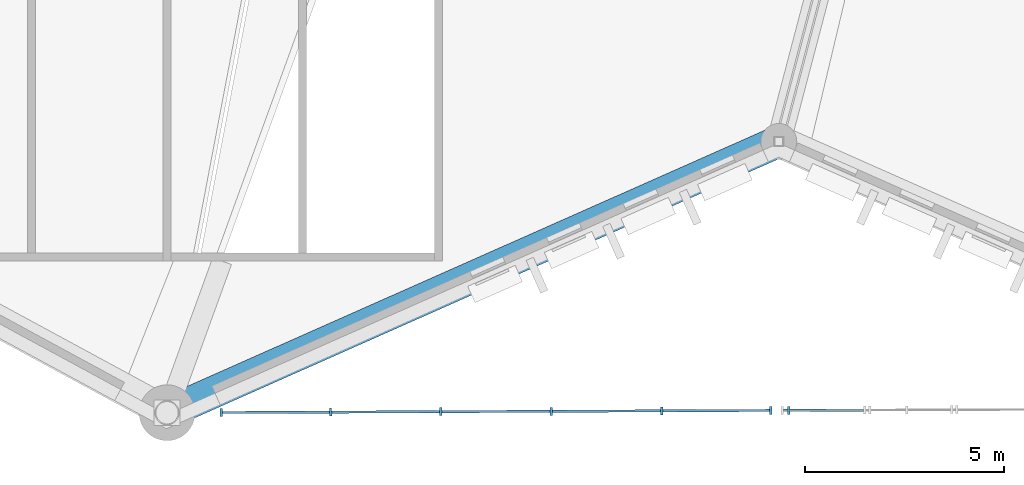
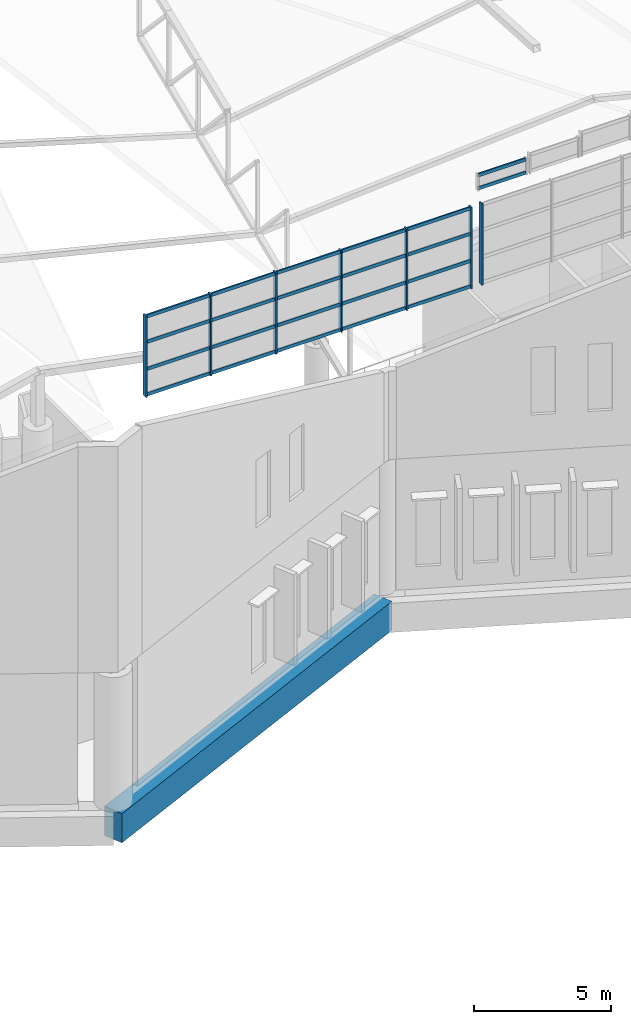
# One storey, part 24 of 344: 29 members, 1 beam, 3 elements without a shape of their own.
"""IFC4 building model written with IfcOpenShell, lengths in metres."""

import ifcopenshell
import ifcopenshell.guid

model = None  # the IFC model being written
_history = None  # IfcOwnerHistory: only IFC2X3 demands one
_inside = {}  # id of a spatial element -> (the spatial element, [elements in it])
_under = {}  # id of a project, library or spatial element -> (it, [spatial elements below it])
_declared = {}  # id of a project -> (the project, [libraries it declares])
_typed = {}  # id of a type object -> (the type object, [elements of that type])
_made_of = {}  # id of a material, layer set ... -> (it, [elements and type objects made of it])


def new_model(schema):
    """Start an empty IFC model of exactly this schema.

    Asked for "IFC4X3", IfcOpenShell would pick the latest addendum, in which some entities
    have other attributes; the version numbers below select the first issue.
    IFC2X3 requires an IfcOwnerHistory on every rooted entity: one is made here for all.
    """
    global model, _history
    if schema == "IFC4X3":
        model = ifcopenshell.file(schema_version=(4, 3, 0, 0))
    else:
        model = ifcopenshell.file(schema=schema)
    _inside.clear()
    _under.clear()
    _declared.clear()
    _typed.clear()
    _made_of.clear()
    _history = None
    if model.schema == "IFC2X3":
        org = make("IfcOrganization", Name="unknown")
        user = make(
            "IfcPersonAndOrganization",
            ThePerson=make("IfcPerson", FamilyName="unknown"),
            TheOrganization=org,
        )
        app = make(
            "IfcApplication",
            ApplicationDeveloper=org,
            Version="unknown",
            ApplicationFullName="unknown",
            ApplicationIdentifier="unknown",
        )
        _history = make(
            "IfcOwnerHistory",
            OwningUser=user,
            OwningApplication=app,
            ChangeAction="ADDED",
            CreationDate=0,
        )
    return model


def make(cls, **values):
    """One entity of the class cls with the attributes given. An attribute that is None is left unset."""
    return model.create_entity(
        cls, **{name: value for name, value in values.items() if value is not None}
    )


def rooted(cls, **values):
    """An entity with a GlobalId (a new one), such as an element, a storey or a relation."""
    return make(cls, GlobalId=ifcopenshell.guid.new(), OwnerHistory=_history, **values)


def si_unit(unit_type, name, prefix=None):
    """IfcSIUnit, for example si_unit("LENGTHUNIT", "METRE", prefix="MILLI")."""
    return make("IfcSIUnit", UnitType=unit_type, Prefix=prefix, Name=name)


def assignment(units):
    """IfcUnitAssignment: the units of a project."""
    return None if units is None else make("IfcUnitAssignment", Units=units)


def point(xyz):
    """IfcCartesianPoint."""
    return None if xyz is None else make("IfcCartesianPoint", Coordinates=xyz)


def direction(xyz):
    """IfcDirection."""
    return None if xyz is None else make("IfcDirection", DirectionRatios=xyz)


def frame(location, z_axis=None, x_axis=None):
    """IfcAxis2Placement3D, a coordinate frame: its origin and axes. An axis left out is left unset."""
    return make(
        "IfcAxis2Placement3D",
        Location=point(location),
        Axis=direction(z_axis),
        RefDirection=direction(x_axis),
    )


def frame_2d(location, x_axis=None):
    """IfcAxis2Placement2D, a coordinate frame in the plane: its origin and x axis."""
    return make(
        "IfcAxis2Placement2D", Location=point(location), RefDirection=direction(x_axis)
    )


def origin():
    """The frame at (0, 0, 0) with its axes left unset."""
    return frame((0.0, 0.0, 0.0))


def origin_2d():
    """The frame at (0, 0) in the plane with its x axis left unset."""
    return frame_2d((0.0, 0.0))


def place(relative_to, where):
    """IfcLocalPlacement: puts the frame where relative to a parent placement (None: the world)."""
    return make(
        "IfcLocalPlacement", PlacementRelTo=relative_to, RelativePlacement=where
    )


def context(
    kind, dimensions, precision=None, world=None, true_north=None, identifier=None
):
    """IfcGeometricRepresentationContext, for example the 3D "Model" context."""
    return make(
        "IfcGeometricRepresentationContext",
        ContextIdentifier=identifier,
        ContextType=kind,
        CoordinateSpaceDimension=dimensions,
        Precision=precision,
        WorldCoordinateSystem=world,
        TrueNorth=true_north,
    )


def subcontext(parent, identifier, kind, view, scale=None):
    """IfcGeometricRepresentationSubContext, for example "Body" below "Model"."""
    return make(
        "IfcGeometricRepresentationSubContext",
        ContextIdentifier=identifier,
        ContextType=kind,
        ParentContext=parent,
        TargetScale=scale,
        TargetView=view,
    )


def project(units=None, contexts=None):
    """IfcProject with its units and contexts."""
    return rooted(
        "IfcProject",
        Name="project",
        RepresentationContexts=contexts,
        UnitsInContext=assignment(units),
    )


def spatial(cls, under=None, at=None, **own):
    """A site, building, storey or space (cls), placed at a placement, below another one or the project."""
    s = rooted(cls, ObjectPlacement=at, **own)
    if under is not None:
        _under.setdefault(under.id(), (under, []))[1].append(s)
    return s


def profile(cls, at=None, kind="AREA", **sizes):
    """A parametric profile (cls). Its sizes go by their IFC names, for example OverallWidth=200.0."""
    return make(cls, ProfileType=kind, Position=at, **sizes)


def rectangle(**sizes):
    """IfcRectangleProfileDef."""
    return profile("IfcRectangleProfileDef", **sizes)


def extrude(swept, where, along, depth):
    """IfcExtrudedAreaSolid: the profile swept, set in the frame where, extruded along a direction by depth."""
    return make(
        "IfcExtrudedAreaSolid",
        SweptArea=swept,
        Position=where,
        ExtrudedDirection=direction(along),
        Depth=depth,
    )


def shape(context_of_items, identifier, shape_type, items):
    """IfcShapeRepresentation: the items that make up one representation, for example the "Body"."""
    return make(
        "IfcShapeRepresentation",
        ContextOfItems=context_of_items,
        RepresentationIdentifier=identifier,
        RepresentationType=shape_type,
        Items=items,
    )


def material(Name=None, Category=None):
    """IfcMaterial."""
    return make("IfcMaterial", Name=Name, Category=Category)


def layer(
    of_material, thickness, ventilated=None, Name=None, Category=None, Priority=None
):
    """IfcMaterialLayer: one layer of a wall or slab, of a material (None: an air gap)."""
    return make(
        "IfcMaterialLayer",
        Material=of_material,
        LayerThickness=thickness,
        IsVentilated=ventilated,
        Name=Name,
        Category=Category,
        Priority=Priority,
    )


def layer_set(layers, Name=None):
    """IfcMaterialLayerSet."""
    return make("IfcMaterialLayerSet", MaterialLayers=layers, LayerSetName=Name)


def material_profile(
    of_material, cross_section, Name=None, Category=None, Priority=None
):
    """IfcMaterialProfile: a cross section and its material."""
    return make(
        "IfcMaterialProfile",
        Name=Name,
        Material=of_material,
        Profile=cross_section,
        Priority=Priority,
        Category=Category,
    )


def profile_set(profiles, Name=None, composite=None):
    """IfcMaterialProfileSet."""
    return make(
        "IfcMaterialProfileSet",
        Name=Name,
        MaterialProfiles=profiles,
        CompositeProfile=composite,
    )


def made_of(thing, what):
    """Note that an element or type object is made of a material, layer set ...; save() writes the relation."""
    if what is not None:
        _made_of.setdefault(what.id(), (what, []))[1].append(thing)
    return thing


def type_object(cls, material=None, **own):
    """A type object (cls), such as IfcWallType, which elements share."""
    return made_of(rooted(cls, **own), material)


def element(
    cls,
    number,
    at=None,
    inside=None,
    cuts=None,
    type_object=None,
    material=None,
    context=None,
    identifier="Body",
    shape_type=None,
    held_by="IfcProductDefinitionShape",
    body=None,
    shapes=None,
    **own,
):
    """One element of the class cls, such as IfcWall. Its Tag is "e" and its number.

    at: its placement. inside: the storey or other place that contains it. cuts: it is an
    opening in that element (IfcRelVoidsElement). A single representation is given by context,
    identifier, shape_type and body (its items); several are given by shapes. held_by: the class
    of the entity that holds the representations. save() writes the other relations.
    """
    e = rooted(cls, Tag="e%d" % number, ObjectPlacement=at, **own)
    if body is not None:
        shapes = [shape(context, identifier, shape_type, body)]
    if shapes is not None:
        e.Representation = make(held_by, Representations=shapes)
    if inside is not None:
        _inside.setdefault(inside.id(), (inside, []))[1].append(e)
    if cuts is not None:
        rooted(
            "IfcRelVoidsElement", RelatingBuildingElement=cuts, RelatedOpeningElement=e
        )
    if type_object is not None:
        _typed.setdefault(type_object.id(), (type_object, []))[1].append(e)
    return made_of(e, material)


def aggregate(whole, parts):
    """IfcRelAggregates: a whole, such as a stair, and the parts it consists of."""
    return rooted("IfcRelAggregates", RelatingObject=whole, RelatedObjects=parts)


def save(model, path):
    """Write the relations noted so far, then the file.

    IfcRelAggregates (storeys below a building ...), IfcRelContainedInSpatialStructure (elements
    in a storey), IfcRelDefinesByType, IfcRelAssociatesMaterial and IfcRelDeclares: one each for
    every whole, place, type object, material and project.
    """
    for whole, parts in _under.values():
        aggregate(whole, parts)
    for where, things in _inside.values():
        rooted(
            "IfcRelContainedInSpatialStructure",
            RelatedElements=things,
            RelatingStructure=where,
        )
    for kind, things in _typed.values():
        rooted("IfcRelDefinesByType", RelatedObjects=things, RelatingType=kind)
    for what, things in _made_of.values():
        rooted("IfcRelAssociatesMaterial", RelatedObjects=things, RelatingMaterial=what)
    for by, libraries in _declared.values():
        rooted("IfcRelDeclares", RelatingContext=by, RelatedDefinitions=libraries)
    model.write(path)


model = new_model("IFC4")

# Units and contexts
model_context = context("Model", 3, precision=1e-05, world=origin(), true_north=direction((0.0, 1.0)))
body_context = subcontext(model_context, "Body", "Model", "MODEL_VIEW")
ifc_project = project(units=[si_unit("LENGTHUNIT", "METRE"), si_unit("AREAUNIT", "SQUARE_METRE"), si_unit("VOLUMEUNIT", "CUBIC_METRE"), si_unit("PLANEANGLEUNIT", "RADIAN"), si_unit("MASSUNIT", "GRAM", prefix="KILO")], contexts=[model_context])

# Site, building, storey
site_placement = place(None, origin())
site = spatial("IfcSite", under=ifc_project, at=site_placement, CompositionType="ELEMENT")
building_placement = place(site_placement, origin())
building = spatial("IfcBuilding", under=site, at=building_placement, Name="Meseta Stadium", CompositionType="ELEMENT")
storey_placement = place(building_placement, frame((0.0, 0.0, 24.0)))
storey = spatial("IfcBuildingStorey", under=building, at=storey_placement, Name="L04", CompositionType="ELEMENT", Elevation=24.0)

# Curtain wall, members
ifc_material_1 = material(Name="Aluminium", Category="aluminium")
ifc_layer = layer(ifc_material_1, 0.199951171875)
ifc_layer_set = layer_set([ifc_layer], Name="Gable glazing curtain wall")
curtain_wall_type = type_object("IfcCurtainWallType", Name="Gable glazing curtain wall", PredefinedType="NOTDEFINED", material=ifc_layer_set)
curtain_wall_1_placement = place(storey_placement, origin())
curtain_wall_1 = element("IfcCurtainWall", 1, at=curtain_wall_1_placement, inside=storey, type_object=curtain_wall_type, Name="Gable glazing south lower bay 01", PredefinedType="NOTDEFINED")
ifc_material_2 = material(Name="Aluminium", Category="aluminium")
ifc_material_profile_1 = material_profile(ifc_material_2, rectangle(XDim=0.199951171875, YDim=0.06005859375, at=origin_2d()), Name="CW 200x60")
ifc_profile_set_1 = profile_set([ifc_material_profile_1], Name="Aluminium")
member_type_1 = type_object("IfcMemberType", Name="CW mullion 60x200", PredefinedType="MULLION", material=ifc_profile_set_1)
member_1_placement = place(storey_placement, frame((-36.971435546875, -105.394775390625, 17.60009765625), z_axis=(0.0, 0.0, 1.0), x_axis=(-0.003847534181, 0.999992598213, 0.0)))
member_1 = element("IfcMember", 2, at=member_1_placement, type_object=member_type_1, Name="CWG mullion 1", PredefinedType="MULLION", context=body_context, shape_type="SweptSolid", body=[
    extrude(rectangle(XDim=0.199951171875, YDim=0.06005859375, at=origin_2d()), origin(), (0.0, 0.0, 1.0), 3.635009765625),
])
member_2_placement = place(storey_placement, frame((-34.235107421875, -105.38427734375, 17.60009765625), z_axis=(0.0, 0.0, 1.0), x_axis=(-0.003847534181, 0.999992598213, 0.0)))
member_2 = element("IfcMember", 3, at=member_2_placement, type_object=member_type_1, Name="CWG mullion 2", PredefinedType="MULLION", context=body_context, shape_type="SweptSolid", body=[
    extrude(rectangle(XDim=0.199951171875, YDim=0.06005859375, at=origin_2d()), origin(), (0.0, 0.0, 1.0), 3.635009765625),
])
member_3_placement = place(storey_placement, frame((-31.46875, -105.37353515625, 17.60009765625), z_axis=(0.0, 0.0, 1.0), x_axis=(-0.003847534181, 0.999992598213, 0.0)))
member_3 = element("IfcMember", 4, at=member_3_placement, type_object=member_type_1, Name="CWG mullion 3", PredefinedType="MULLION", context=body_context, shape_type="SweptSolid", body=[
    extrude(rectangle(XDim=0.199951171875, YDim=0.06005859375, at=origin_2d()), origin(), (0.0, 0.0, 1.0), 3.635009765625),
])
member_4_placement = place(storey_placement, frame((-28.702392578125, -105.363037109375, 17.60009765625), z_axis=(0.0, 0.0, 1.0), x_axis=(-0.003847534181, 0.999992598213, 0.0)))
member_4 = element("IfcMember", 5, at=member_4_placement, type_object=member_type_1, Name="CWG mullion 4", PredefinedType="MULLION", context=body_context, shape_type="SweptSolid", body=[
    extrude(rectangle(XDim=0.199951171875, YDim=0.06005859375, at=origin_2d()), origin(), (0.0, 0.0, 1.0), 3.635009765625),
])
member_5_placement = place(storey_placement, frame((-25.93603515625, -105.352294921875, 17.60009765625), z_axis=(0.0, 0.0, 1.0), x_axis=(-0.003847534181, 0.999992598213, 0.0)))
member_5 = element("IfcMember", 6, at=member_5_placement, type_object=member_type_1, Name="CWG mullion 5", PredefinedType="MULLION", context=body_context, shape_type="SweptSolid", body=[
    extrude(rectangle(XDim=0.199951171875, YDim=0.06005859375, at=origin_2d()), origin(), (0.0, 0.0, 1.0), 3.635009765625),
])
member_6_placement = place(storey_placement, frame((-23.199462890625, -105.341796875, 17.60009765625), z_axis=(0.0, 0.0, 1.0), x_axis=(-0.003847534181, 0.999992598213, 0.0)))
member_6 = element("IfcMember", 7, at=member_6_placement, type_object=member_type_1, Name="CWG mullion 6", PredefinedType="MULLION", context=body_context, shape_type="SweptSolid", body=[
    extrude(rectangle(XDim=0.199951171875, YDim=0.06005859375, at=origin_2d()), origin(), (0.0, 0.0, 1.0), 3.635009765625),
])

# Curtain wall, member
curtain_wall_2_placement = place(storey_placement, origin())
curtain_wall_2 = element("IfcCurtainWall", 8, at=curtain_wall_2_placement, inside=storey, type_object=curtain_wall_type, Name="Gable glazing south lower bay 02", PredefinedType="NOTDEFINED")
member_7_placement = place(storey_placement, frame((-22.74853515625, -105.340087890625, 17.60009765625), z_axis=(0.0, 0.0, 1.0), x_axis=(-0.003847534198, 0.999992598213, 0.0)))
member_7 = element("IfcMember", 9, at=member_7_placement, type_object=member_type_1, Name="CWG mullion 1", PredefinedType="MULLION", context=body_context, shape_type="SweptSolid", body=[
    extrude(rectangle(XDim=0.199951171875, YDim=0.06005859375, at=origin_2d()), origin(), (0.0, 0.0, 1.0), 3.635009765625),
])
aggregate(curtain_wall_2, [member_7])

# Curtain wall, members
curtain_wall_3_placement = place(storey_placement, origin())
curtain_wall_3 = element("IfcCurtainWall", 10, at=curtain_wall_3_placement, inside=storey, type_object=curtain_wall_type, Name="Gable glazing south bay 08", PredefinedType="NOTDEFINED")
ifc_material_3 = material(Name="Aluminium", Category="aluminium")
ifc_material_profile_2 = material_profile(ifc_material_3, rectangle(XDim=0.06005859375, YDim=0.14990234375, at=origin_2d()), Name="CW 60x150")
ifc_profile_set_2 = profile_set([ifc_material_profile_2], Name="Aluminium")
member_type_2 = type_object("IfcMemberType", Name="CW transom 60x150", PredefinedType="USERDEFINED", material=ifc_profile_set_2)
member_8_placement = place(storey_placement, frame((-22.882080078125, -105.340576171875, 21.929931640625), z_axis=(0.99999239114, 0.003900982143, 0.0), x_axis=(-0.003900982143, 0.99999239114, 0.0)))
member_8 = element("IfcMember", 11, at=member_8_placement, type_object=member_type_2, Name="CWG transom 1.1", ObjectType="TRANSOM", PredefinedType="USERDEFINED", context=body_context, shape_type="SweptSolid", body=[
    extrude(rectangle(XDim=0.06005859375, YDim=0.14990234375, at=origin_2d()), origin(), (0.0, 0.0, 1.0), 2.002685546875),
])
member_9_placement = place(storey_placement, frame((-22.882080078125, -105.340576171875, 22.516845703125), z_axis=(0.99999239114, 0.003900982143, 0.0), x_axis=(-0.003900982143, 0.99999239114, 0.0)))
member_9 = element("IfcMember", 12, at=member_9_placement, type_object=member_type_2, Name="CWG transom 1.2", ObjectType="TRANSOM", PredefinedType="USERDEFINED", context=body_context, shape_type="SweptSolid", body=[
    extrude(rectangle(XDim=0.06005859375, YDim=0.14990234375, at=origin_2d()), origin(), (0.0, 0.0, 1.0), 2.002685546875),
])
aggregate(curtain_wall_3, [member_8, member_9])

# Member
member_10_placement = place(storey_placement, frame((-36.94140625, -105.39453125, 17.675048828125), z_axis=(0.999992661539, 0.003831040024, 0.0), x_axis=(-0.003831040024, 0.999992661539, 0.0)))
member_10 = element("IfcMember", 13, at=member_10_placement, type_object=member_type_2, Name="CWG transom 1.1", ObjectType="TRANSOM", PredefinedType="USERDEFINED", context=body_context, shape_type="SweptSolid", body=[
    extrude(rectangle(XDim=0.06005859375, YDim=0.14990234375, at=origin_2d()), origin(), (0.0, 0.0, 1.0), 2.676513671875),
])

member_11_placement = place(storey_placement, frame((-36.94140625, -105.39453125, 18.811767578125), z_axis=(0.999992661539, 0.003831040024, 0.0), x_axis=(-0.003831040024, 0.999992661539, 0.0)))
member_11 = element("IfcMember", 14, at=member_11_placement, type_object=member_type_2, Name="CWG transom 1.2", ObjectType="TRANSOM", PredefinedType="USERDEFINED", context=body_context, shape_type="SweptSolid", body=[
    extrude(rectangle(XDim=0.06005859375, YDim=0.14990234375, at=origin_2d()), origin(), (0.0, 0.0, 1.0), 2.676513671875),
])

member_12_placement = place(storey_placement, frame((-36.94140625, -105.39453125, 20.0234375), z_axis=(0.999992661539, 0.003831040024, 0.0), x_axis=(-0.003831040024, 0.999992661539, 0.0)))
member_12 = element("IfcMember", 15, at=member_12_placement, type_object=member_type_2, Name="CWG transom 1.3", ObjectType="TRANSOM", PredefinedType="USERDEFINED", context=body_context, shape_type="SweptSolid", body=[
    extrude(rectangle(XDim=0.06005859375, YDim=0.14990234375, at=origin_2d()), origin(), (0.0, 0.0, 1.0), 2.676513671875),
])

member_13_placement = place(storey_placement, frame((-36.94140625, -105.39453125, 21.159912109375), z_axis=(0.999992661539, 0.003831040024, 0.0), x_axis=(-0.003831040024, 0.999992661539, 0.0)))
member_13 = element("IfcMember", 16, at=member_13_placement, type_object=member_type_2, Name="CWG transom 1.4", ObjectType="TRANSOM", PredefinedType="USERDEFINED", context=body_context, shape_type="SweptSolid", body=[
    extrude(rectangle(XDim=0.06005859375, YDim=0.14990234375, at=origin_2d()), origin(), (0.0, 0.0, 1.0), 2.676513671875),
])

member_14_placement = place(storey_placement, frame((-34.205078125, -105.384033203125, 17.675048828125), z_axis=(0.999992823476, 0.003788534962, 0.0), x_axis=(-0.003788534962, 0.999992823476, 0.0)))
member_14 = element("IfcMember", 17, at=member_14_placement, type_object=member_type_2, Name="CWG transom 2.1", ObjectType="TRANSOM", PredefinedType="USERDEFINED", context=body_context, shape_type="SweptSolid", body=[
    extrude(rectangle(XDim=0.06005859375, YDim=0.14990234375, at=origin_2d()), origin(), (0.0, 0.0, 1.0), 2.70654296875),
])

member_15_placement = place(storey_placement, frame((-34.205078125, -105.384033203125, 18.811767578125), z_axis=(0.999992823476, 0.003788534962, 0.0), x_axis=(-0.003788534962, 0.999992823476, 0.0)))
member_15 = element("IfcMember", 18, at=member_15_placement, type_object=member_type_2, Name="CWG transom 2.2", ObjectType="TRANSOM", PredefinedType="USERDEFINED", context=body_context, shape_type="SweptSolid", body=[
    extrude(rectangle(XDim=0.06005859375, YDim=0.14990234375, at=origin_2d()), origin(), (0.0, 0.0, 1.0), 2.70654296875),
])

member_16_placement = place(storey_placement, frame((-34.205078125, -105.384033203125, 20.0234375), z_axis=(0.999992823476, 0.003788534962, 0.0), x_axis=(-0.003788534962, 0.999992823476, 0.0)))
member_16 = element("IfcMember", 19, at=member_16_placement, type_object=member_type_2, Name="CWG transom 2.3", ObjectType="TRANSOM", PredefinedType="USERDEFINED", context=body_context, shape_type="SweptSolid", body=[
    extrude(rectangle(XDim=0.06005859375, YDim=0.14990234375, at=origin_2d()), origin(), (0.0, 0.0, 1.0), 2.70654296875),
])

member_17_placement = place(storey_placement, frame((-34.205078125, -105.384033203125, 21.159912109375), z_axis=(0.999992823476, 0.003788534962, 0.0), x_axis=(-0.003788534962, 0.999992823476, 0.0)))
member_17 = element("IfcMember", 20, at=member_17_placement, type_object=member_type_2, Name="CWG transom 2.4", ObjectType="TRANSOM", PredefinedType="USERDEFINED", context=body_context, shape_type="SweptSolid", body=[
    extrude(rectangle(XDim=0.06005859375, YDim=0.14990234375, at=origin_2d()), origin(), (0.0, 0.0, 1.0), 2.70654296875),
])

member_18_placement = place(storey_placement, frame((-31.438720703125, -105.37353515625, 17.675048828125), z_axis=(0.999992477672, 0.003878736834, 0.0), x_axis=(-0.003878736834, 0.999992477672, 0.0)))
member_18 = element("IfcMember", 21, at=member_18_placement, type_object=member_type_2, Name="CWG transom 3.1", ObjectType="TRANSOM", PredefinedType="USERDEFINED", context=body_context, shape_type="SweptSolid", body=[
    extrude(rectangle(XDim=0.06005859375, YDim=0.14990234375, at=origin_2d()), origin(), (0.0, 0.0, 1.0), 2.70654296875),
])

member_19_placement = place(storey_placement, frame((-31.438720703125, -105.37353515625, 18.811767578125), z_axis=(0.999992477672, 0.003878736834, 0.0), x_axis=(-0.003878736834, 0.999992477672, 0.0)))
member_19 = element("IfcMember", 22, at=member_19_placement, type_object=member_type_2, Name="CWG transom 3.2", ObjectType="TRANSOM", PredefinedType="USERDEFINED", context=body_context, shape_type="SweptSolid", body=[
    extrude(rectangle(XDim=0.06005859375, YDim=0.14990234375, at=origin_2d()), origin(), (0.0, 0.0, 1.0), 2.70654296875),
])

member_20_placement = place(storey_placement, frame((-31.438720703125, -105.37353515625, 20.0234375), z_axis=(0.999992477672, 0.003878736834, 0.0), x_axis=(-0.003878736834, 0.999992477672, 0.0)))
member_20 = element("IfcMember", 23, at=member_20_placement, type_object=member_type_2, Name="CWG transom 3.3", ObjectType="TRANSOM", PredefinedType="USERDEFINED", context=body_context, shape_type="SweptSolid", body=[
    extrude(rectangle(XDim=0.06005859375, YDim=0.14990234375, at=origin_2d()), origin(), (0.0, 0.0, 1.0), 2.70654296875),
])

member_21_placement = place(storey_placement, frame((-31.438720703125, -105.37353515625, 21.159912109375), z_axis=(0.999992477672, 0.003878736834, 0.0), x_axis=(-0.003878736834, 0.999992477672, 0.0)))
member_21 = element("IfcMember", 24, at=member_21_placement, type_object=member_type_2, Name="CWG transom 3.4", ObjectType="TRANSOM", PredefinedType="USERDEFINED", context=body_context, shape_type="SweptSolid", body=[
    extrude(rectangle(XDim=0.06005859375, YDim=0.14990234375, at=origin_2d()), origin(), (0.0, 0.0, 1.0), 2.70654296875),
])

member_22_placement = place(storey_placement, frame((-28.67236328125, -105.36279296875, 17.675048828125), z_axis=(0.999992477672, 0.003878736834, 0.0), x_axis=(-0.003878736834, 0.999992477672, 0.0)))
member_22 = element("IfcMember", 25, at=member_22_placement, type_object=member_type_2, Name="CWG transom 4.1", ObjectType="TRANSOM", PredefinedType="USERDEFINED", context=body_context, shape_type="SweptSolid", body=[
    extrude(rectangle(XDim=0.06005859375, YDim=0.14990234375, at=origin_2d()), origin(), (0.0, 0.0, 1.0), 2.70654296875),
])

member_23_placement = place(storey_placement, frame((-28.67236328125, -105.36279296875, 18.811767578125), z_axis=(0.999992477672, 0.003878736834, 0.0), x_axis=(-0.003878736834, 0.999992477672, 0.0)))
member_23 = element("IfcMember", 26, at=member_23_placement, type_object=member_type_2, Name="CWG transom 4.2", ObjectType="TRANSOM", PredefinedType="USERDEFINED", context=body_context, shape_type="SweptSolid", body=[
    extrude(rectangle(XDim=0.06005859375, YDim=0.14990234375, at=origin_2d()), origin(), (0.0, 0.0, 1.0), 2.70654296875),
])

member_24_placement = place(storey_placement, frame((-28.67236328125, -105.36279296875, 20.0234375), z_axis=(0.999992477672, 0.003878736834, 0.0), x_axis=(-0.003878736834, 0.999992477672, 0.0)))
member_24 = element("IfcMember", 27, at=member_24_placement, type_object=member_type_2, Name="CWG transom 4.3", ObjectType="TRANSOM", PredefinedType="USERDEFINED", context=body_context, shape_type="SweptSolid", body=[
    extrude(rectangle(XDim=0.06005859375, YDim=0.14990234375, at=origin_2d()), origin(), (0.0, 0.0, 1.0), 2.70654296875),
])

member_25_placement = place(storey_placement, frame((-28.67236328125, -105.36279296875, 21.159912109375), z_axis=(0.999992477672, 0.003878736834, 0.0), x_axis=(-0.003878736834, 0.999992477672, 0.0)))
member_25 = element("IfcMember", 28, at=member_25_placement, type_object=member_type_2, Name="CWG transom 4.4", ObjectType="TRANSOM", PredefinedType="USERDEFINED", context=body_context, shape_type="SweptSolid", body=[
    extrude(rectangle(XDim=0.06005859375, YDim=0.14990234375, at=origin_2d()), origin(), (0.0, 0.0, 1.0), 2.70654296875),
])

member_26_placement = place(storey_placement, frame((-25.906005859375, -105.352294921875, 17.675048828125), z_axis=(0.999992307933, 0.003922253876, 0.0), x_axis=(-0.003922253876, 0.999992307933, 0.0)))
member_26 = element("IfcMember", 29, at=member_26_placement, type_object=member_type_2, Name="CWG transom 5.1", ObjectType="TRANSOM", PredefinedType="USERDEFINED", context=body_context, shape_type="SweptSolid", body=[
    extrude(rectangle(XDim=0.06005859375, YDim=0.14990234375, at=origin_2d()), origin(), (0.0, 0.0, 1.0), 2.676513671875),
])

member_27_placement = place(storey_placement, frame((-25.906005859375, -105.352294921875, 18.811767578125), z_axis=(0.999992307933, 0.003922253876, 0.0), x_axis=(-0.003922253876, 0.999992307933, 0.0)))
member_27 = element("IfcMember", 30, at=member_27_placement, type_object=member_type_2, Name="CWG transom 5.2", ObjectType="TRANSOM", PredefinedType="USERDEFINED", context=body_context, shape_type="SweptSolid", body=[
    extrude(rectangle(XDim=0.06005859375, YDim=0.14990234375, at=origin_2d()), origin(), (0.0, 0.0, 1.0), 2.676513671875),
])

member_28_placement = place(storey_placement, frame((-25.906005859375, -105.352294921875, 20.0234375), z_axis=(0.999992307933, 0.003922253876, 0.0), x_axis=(-0.003922253876, 0.999992307933, 0.0)))
member_28 = element("IfcMember", 31, at=member_28_placement, type_object=member_type_2, Name="CWG transom 5.3", ObjectType="TRANSOM", PredefinedType="USERDEFINED", context=body_context, shape_type="SweptSolid", body=[
    extrude(rectangle(XDim=0.06005859375, YDim=0.14990234375, at=origin_2d()), origin(), (0.0, 0.0, 1.0), 2.676513671875),
])

member_29_placement = place(storey_placement, frame((-25.906005859375, -105.352294921875, 21.159912109375), z_axis=(0.999992307933, 0.003922253876, 0.0), x_axis=(-0.003922253876, 0.999992307933, 0.0)))
member_29 = element("IfcMember", 32, at=member_29_placement, type_object=member_type_2, Name="CWG transom 5.4", ObjectType="TRANSOM", PredefinedType="USERDEFINED", context=body_context, shape_type="SweptSolid", body=[
    extrude(rectangle(XDim=0.06005859375, YDim=0.14990234375, at=origin_2d()), origin(), (0.0, 0.0, 1.0), 2.676513671875),
])

aggregate(curtain_wall_1, [member_1, member_2, member_3, member_4, member_5, member_6, member_10, member_11, member_12, member_13, member_14, member_15, member_16, member_17, member_18, member_19, member_20, member_21, member_22, member_23, member_24, member_25, member_26, member_27, member_28, member_29])

# Beam
ifc_material_4 = material(Name="Concrete C40/50", Category="concrete")
ifc_material_profile_3 = material_profile(ifc_material_4, rectangle(XDim=0.800048828125, YDim=1.300048828125, at=origin_2d()), Name="RC 800x1300")
ifc_profile_set_3 = profile_set([ifc_material_profile_3], Name="Concrete C40/50")
beam_type = type_object("IfcBeamType", Name="RC beam 800x1300", PredefinedType="BEAM", material=ifc_profile_set_3)
beam_placement = place(storey_placement, frame((-38.333251953125, -105.39990234375, -1.050048828125), z_axis=(0.914142564088, 0.405392861953, 0.0), x_axis=(-0.405392861953, 0.914142564088, 0.0)))
element("IfcBeam", 33, at=beam_placement, inside=storey, type_object=beam_type, Name="L04 ring beam frame 44 line R", PredefinedType="BEAM", context=body_context, shape_type="SweptSolid", body=[
    extrude(rectangle(XDim=0.800048828125, YDim=1.300048828125, at=origin_2d()), origin(), (0.0, 0.0, 1.0), 16.7734375),
])

save(model, "model.ifc")
